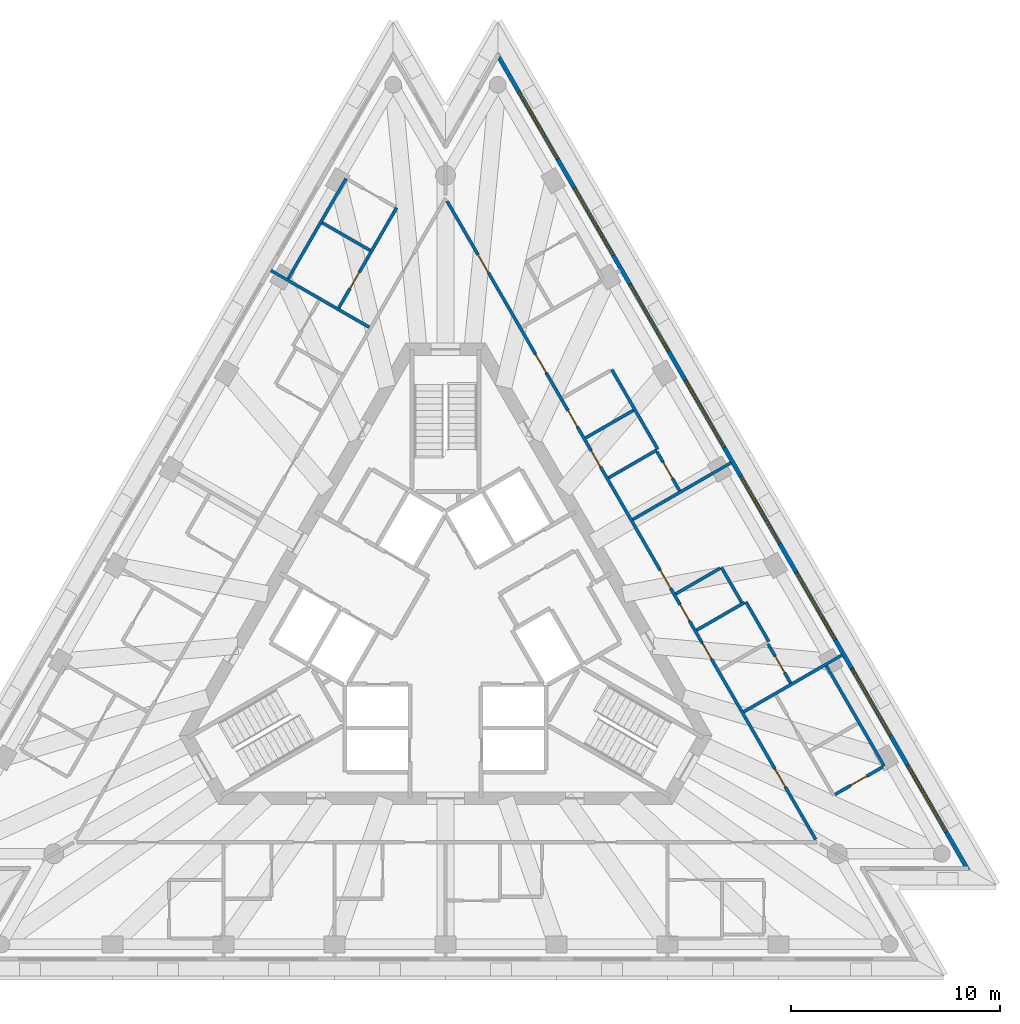
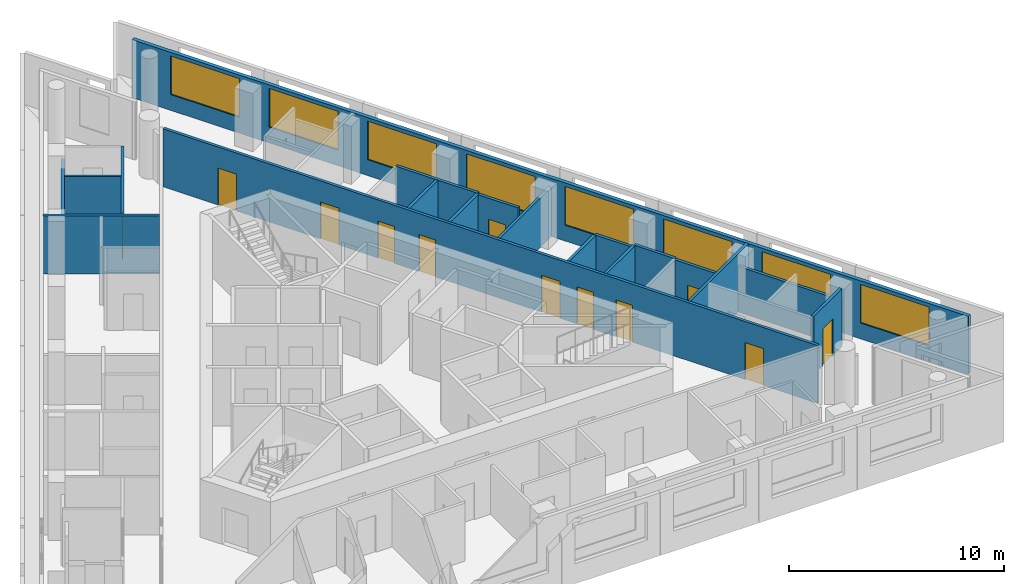
# One storey, part 7 of 11: 19 walls, 12 doors, 8 windows, 20 openings.
"""IFC4 building model written with IfcOpenShell, lengths in metres."""

from ifc_helpers import new_model, si_unit, direction, frame, frame_2d, origin, place, context, subcontext, project, spatial, rectangle, extrude, material, layer, layer_set, layer_usage, type_object, element, fill, save


model = new_model("IFC4")

# Units and contexts
model_context = context("Model", 3, precision=1e-05, world=origin(), true_north=direction((0.0, 1.0)))
body_context = subcontext(model_context, "Body", "Model", "MODEL_VIEW")
ifc_project = project(units=[si_unit("LENGTHUNIT", "METRE"), si_unit("AREAUNIT", "SQUARE_METRE"), si_unit("VOLUMEUNIT", "CUBIC_METRE"), si_unit("PLANEANGLEUNIT", "RADIAN"), si_unit("MASSUNIT", "GRAM", prefix="KILO")], contexts=[model_context])

# Site, building, storey
site_placement = place(None, origin())
site = spatial("IfcSite", under=ifc_project, at=site_placement, CompositionType="ELEMENT")
building_placement = place(site_placement, origin())
building = spatial("IfcBuilding", under=site, at=building_placement, Name="Triada Interchange Tower", CompositionType="ELEMENT")
storey_placement = place(building_placement, frame((0.0, 0.0, 300.699951171875)))
storey = spatial("IfcBuildingStorey", under=building, at=storey_placement, Name="L71", CompositionType="ELEMENT", Elevation=300.699951171875)

# Wall, openings, windows
ifc_material_1 = material(Name="Cement board")
ifc_layer_1 = layer(ifc_material_1, 0.02001953125, Name="Cement board cladding")
ifc_material_2 = material(Name="Sheathing board")
ifc_layer_2 = layer(ifc_material_2, 0.014892578125, Name="Sheathing board")
ifc_material_3 = material(Name="Mineral wool")
ifc_layer_3 = layer(ifc_material_3, 0.14990234375, Name="Mineral wool between steel studs")
ifc_material_4 = material(Name="Gypsum board")
ifc_layer_4 = layer(ifc_material_4, 0.014892578125, Name="Plasterboard lining")
ifc_layer_set_1 = layer_set([ifc_layer_1, ifc_layer_2, ifc_layer_3, ifc_layer_4], Name="External wall 200")
ifc_layer_usage = layer_usage(ifc_layer_set_1, "AXIS2", "POSITIVE", -0.10009765625)
wall_type_1 = type_object("IfcWallType", Name="External wall 200", PredefinedType="ELEMENTEDWALL", material=ifc_layer_set_1)
wall_1_placement = place(storey_placement, frame((24.9599609375, -11.577880859375, 0.0), z_axis=(0.0, 0.0, 1.0), x_axis=(-0.500002391419, 0.866024023094, 0.0)))
wall_1 = element("IfcWall", 1, at=wall_1_placement, inside=storey, type_object=wall_type_1, material=ifc_layer_usage, Name="External wall L71 NE", PredefinedType="ELEMENTEDWALL", context=body_context, shape_type="SweptSolid", body=[
    extrude(rectangle(XDim=44.993896484375, YDim=0.199951171875, at=frame_2d((22.4970703125, 0.0))), origin(), (0.0, 0.0, 1.0), 3.300048828125),
])
opening_1_placement = place(wall_1_placement, frame((2.10302734375, 0.0, 0.89990234375)))
opening_1 = element("IfcOpeningElement", 2, at=opening_1_placement, cuts=wall_1, Name="Opening WD21", PredefinedType="OPENING", context=body_context, shape_type="SweptSolid", body=[
    extrude(rectangle(XDim=3.699951171875, YDim=2.199951171875, at=frame_2d((1.85009765625, 1.10009765625))), frame((0.0, 0.10986328125, 0.0), z_axis=(0.0, -1.0, 0.0), x_axis=(1.0, 0.0, 0.0)), (0.0, 0.0, 1.0), 0.219970703125),
])
opening_2_placement = place(wall_1_placement, frame((7.404052734375, 0.0, 0.89990234375)))
opening_2 = element("IfcOpeningElement", 3, at=opening_2_placement, cuts=wall_1, Name="Opening WD22", PredefinedType="OPENING", context=body_context, shape_type="SweptSolid", body=[
    extrude(rectangle(XDim=3.699951171875, YDim=2.199951171875, at=frame_2d((1.85009765625, 1.10009765625))), frame((0.0, 0.10986328125, 0.0), z_axis=(0.0, -1.0, 0.0), x_axis=(1.0, 0.0, 0.0)), (0.0, 0.0, 1.0), 0.219970703125),
])
opening_3_placement = place(wall_1_placement, frame((12.705078125, 0.0, 0.89990234375)))
opening_3 = element("IfcOpeningElement", 4, at=opening_3_placement, cuts=wall_1, Name="Opening WD23", PredefinedType="OPENING", context=body_context, shape_type="SweptSolid", body=[
    extrude(rectangle(XDim=3.699951171875, YDim=2.199951171875, at=frame_2d((1.85009765625, 1.10009765625))), frame((0.0, 0.10986328125, 0.0), z_axis=(0.0, -1.0, 0.0), x_axis=(1.0, 0.0, 0.0)), (0.0, 0.0, 1.0), 0.219970703125),
])
opening_4_placement = place(wall_1_placement, frame((18.006103515625, 0.0, 0.89990234375)))
opening_4 = element("IfcOpeningElement", 5, at=opening_4_placement, cuts=wall_1, Name="Opening WD24", PredefinedType="OPENING", context=body_context, shape_type="SweptSolid", body=[
    extrude(rectangle(XDim=3.699951171875, YDim=2.199951171875, at=frame_2d((1.85009765625, 1.10009765625))), frame((0.0, 0.10986328125, 0.0), z_axis=(0.0, -1.0, 0.0), x_axis=(1.0, 0.0, 0.0)), (0.0, 0.0, 1.0), 0.219970703125),
])
opening_5_placement = place(wall_1_placement, frame((23.30810546875, 0.0, 0.89990234375)))
opening_5 = element("IfcOpeningElement", 6, at=opening_5_placement, cuts=wall_1, Name="Opening WD25", PredefinedType="OPENING", context=body_context, shape_type="SweptSolid", body=[
    extrude(rectangle(XDim=3.699951171875, YDim=2.199951171875, at=frame_2d((1.85009765625, 1.10009765625))), frame((0.0, 0.10986328125, 0.0), z_axis=(0.0, -1.0, 0.0), x_axis=(1.0, 0.0, 0.0)), (0.0, 0.0, 1.0), 0.219970703125),
])
opening_6_placement = place(wall_1_placement, frame((28.60888671875, 0.0, 0.89990234375)))
opening_6 = element("IfcOpeningElement", 7, at=opening_6_placement, cuts=wall_1, Name="Opening WD26", PredefinedType="OPENING", context=body_context, shape_type="SweptSolid", body=[
    extrude(rectangle(XDim=3.699951171875, YDim=2.199951171875, at=frame_2d((1.85009765625, 1.10009765625))), frame((0.0, 0.10986328125, 0.0), z_axis=(0.0, -1.0, 0.0), x_axis=(1.0, 0.0, 0.0)), (0.0, 0.0, 1.0), 0.219970703125),
])
opening_7_placement = place(wall_1_placement, frame((33.909912109375, 0.0, 0.89990234375)))
opening_7 = element("IfcOpeningElement", 8, at=opening_7_placement, cuts=wall_1, Name="Opening WD27", PredefinedType="OPENING", context=body_context, shape_type="SweptSolid", body=[
    extrude(rectangle(XDim=3.699951171875, YDim=2.199951171875, at=frame_2d((1.85009765625, 1.10009765625))), frame((0.0, 0.10986328125, 0.0), z_axis=(0.0, -1.0, 0.0), x_axis=(1.0, 0.0, 0.0)), (0.0, 0.0, 1.0), 0.219970703125),
])
opening_8_placement = place(wall_1_placement, frame((39.2109375, 0.0, 0.89990234375)))
opening_8 = element("IfcOpeningElement", 9, at=opening_8_placement, cuts=wall_1, Name="Opening WD28", PredefinedType="OPENING", context=body_context, shape_type="SweptSolid", body=[
    extrude(rectangle(XDim=3.699951171875, YDim=2.199951171875, at=frame_2d((1.85009765625, 1.10009765625))), frame((0.0, 0.10986328125, 0.0), z_axis=(0.0, -1.0, 0.0), x_axis=(1.0, 0.0, 0.0)), (0.0, 0.0, 1.0), 0.219970703125),
])
ifc_material_5 = material(Name="Double glazed aluminium window", Category="aluminium")
window_type = type_object("IfcWindowType", Name="Ribbon window D face", PartitioningType="SINGLE_PANEL", PredefinedType="WINDOW", material=ifc_material_5)
window_1_placement = place(opening_1_placement, origin())
window_1 = element("IfcWindow", 10, at=window_1_placement, inside=storey, type_object=window_type, Name="Window L71 NE 1", OverallHeight=2.199951171875, OverallWidth=3.699951171875, PartitioningType="SINGLE_PANEL", PredefinedType="WINDOW", context=body_context, shape_type="SweptSolid", body=[
    extrude(rectangle(XDim=3.699951171875, YDim=2.199951171875, at=frame_2d((1.85009765625, 1.10009765625))), frame((0.0, 0.030029296875, 0.0), z_axis=(0.0, -1.0, 0.0), x_axis=(1.0, 0.0, 0.0)), (0.0, 0.0, 1.0), 0.06005859375),
])
fill(opening_1, window_1)
window_2_placement = place(opening_2_placement, origin())
window_2 = element("IfcWindow", 11, at=window_2_placement, inside=storey, type_object=window_type, Name="Window L71 NE 2", OverallHeight=2.199951171875, OverallWidth=3.699951171875, PartitioningType="SINGLE_PANEL", PredefinedType="WINDOW", context=body_context, shape_type="SweptSolid", body=[
    extrude(rectangle(XDim=3.699951171875, YDim=2.199951171875, at=frame_2d((1.85009765625, 1.10009765625))), frame((0.0, 0.030029296875, 0.0), z_axis=(0.0, -1.0, 0.0), x_axis=(1.0, 0.0, 0.0)), (0.0, 0.0, 1.0), 0.06005859375),
])
fill(opening_2, window_2)
window_3_placement = place(opening_3_placement, origin())
window_3 = element("IfcWindow", 12, at=window_3_placement, inside=storey, type_object=window_type, Name="Window L71 NE 3", OverallHeight=2.199951171875, OverallWidth=3.699951171875, PartitioningType="SINGLE_PANEL", PredefinedType="WINDOW", context=body_context, shape_type="SweptSolid", body=[
    extrude(rectangle(XDim=3.699951171875, YDim=2.199951171875, at=frame_2d((1.85009765625, 1.10009765625))), frame((0.0, 0.030029296875, 0.0), z_axis=(0.0, -1.0, 0.0), x_axis=(1.0, 0.0, 0.0)), (0.0, 0.0, 1.0), 0.06005859375),
])
fill(opening_3, window_3)
window_4_placement = place(opening_4_placement, origin())
window_4 = element("IfcWindow", 13, at=window_4_placement, inside=storey, type_object=window_type, Name="Window L71 NE 4", OverallHeight=2.199951171875, OverallWidth=3.699951171875, PartitioningType="SINGLE_PANEL", PredefinedType="WINDOW", context=body_context, shape_type="SweptSolid", body=[
    extrude(rectangle(XDim=3.699951171875, YDim=2.199951171875, at=frame_2d((1.85009765625, 1.10009765625))), frame((0.0, 0.030029296875, 0.0), z_axis=(0.0, -1.0, 0.0), x_axis=(1.0, 0.0, 0.0)), (0.0, 0.0, 1.0), 0.06005859375),
])
fill(opening_4, window_4)
window_5_placement = place(opening_5_placement, origin())
window_5 = element("IfcWindow", 14, at=window_5_placement, inside=storey, type_object=window_type, Name="Window L71 NE 5", OverallHeight=2.199951171875, OverallWidth=3.699951171875, PartitioningType="SINGLE_PANEL", PredefinedType="WINDOW", context=body_context, shape_type="SweptSolid", body=[
    extrude(rectangle(XDim=3.699951171875, YDim=2.199951171875, at=frame_2d((1.85009765625, 1.10009765625))), frame((0.0, 0.030029296875, 0.0), z_axis=(0.0, -1.0, 0.0), x_axis=(1.0, 0.0, 0.0)), (0.0, 0.0, 1.0), 0.06005859375),
])
fill(opening_5, window_5)
window_6_placement = place(opening_6_placement, origin())
window_6 = element("IfcWindow", 15, at=window_6_placement, inside=storey, type_object=window_type, Name="Window L71 NE 6", OverallHeight=2.199951171875, OverallWidth=3.699951171875, PartitioningType="SINGLE_PANEL", PredefinedType="WINDOW", context=body_context, shape_type="SweptSolid", body=[
    extrude(rectangle(XDim=3.699951171875, YDim=2.199951171875, at=frame_2d((1.85009765625, 1.10009765625))), frame((0.0, 0.030029296875, 0.0), z_axis=(0.0, -1.0, 0.0), x_axis=(1.0, 0.0, 0.0)), (0.0, 0.0, 1.0), 0.06005859375),
])
fill(opening_6, window_6)
window_7_placement = place(opening_7_placement, origin())
window_7 = element("IfcWindow", 16, at=window_7_placement, inside=storey, type_object=window_type, Name="Window L71 NE 7", OverallHeight=2.199951171875, OverallWidth=3.699951171875, PartitioningType="SINGLE_PANEL", PredefinedType="WINDOW", context=body_context, shape_type="SweptSolid", body=[
    extrude(rectangle(XDim=3.699951171875, YDim=2.199951171875, at=frame_2d((1.85009765625, 1.10009765625))), frame((0.0, 0.030029296875, 0.0), z_axis=(0.0, -1.0, 0.0), x_axis=(1.0, 0.0, 0.0)), (0.0, 0.0, 1.0), 0.06005859375),
])
fill(opening_7, window_7)
window_8_placement = place(opening_8_placement, origin())
window_8 = element("IfcWindow", 17, at=window_8_placement, inside=storey, type_object=window_type, Name="Window L71 NE 8", OverallHeight=2.199951171875, OverallWidth=3.699951171875, PartitioningType="SINGLE_PANEL", PredefinedType="WINDOW", context=body_context, shape_type="SweptSolid", body=[
    extrude(rectangle(XDim=3.699951171875, YDim=2.199951171875, at=frame_2d((1.85009765625, 1.10009765625))), frame((0.0, 0.030029296875, 0.0), z_axis=(0.0, -1.0, 0.0), x_axis=(1.0, 0.0, 0.0)), (0.0, 0.0, 1.0), 0.06005859375),
])
fill(opening_8, window_8)

# Walls
ifc_material_6 = material(Name="Gypsum board partition")
ifc_layer_5 = layer(ifc_material_6, 0.14990234375)
ifc_layer_set_2 = layer_set([ifc_layer_5], Name="PARTITION 150 EI 180")
wall_type_2 = type_object("IfcWallType", Name="PARTITION 150 EI 180", PredefinedType="PARTITIONING", material=ifc_layer_set_2)
wall_2_placement = place(storey_placement, frame((8.94189453125, 5.1630859375, 0.0), z_axis=(0.0, 0.0, 1.0), x_axis=(0.866006352826, 0.500032995777, 0.0)))
element("IfcWall", 18, at=wall_2_placement, inside=storey, type_object=wall_type_2, Name="Wall L71 2", PredefinedType="PARTITIONING", context=body_context, shape_type="SweptSolid", body=[
    extrude(rectangle(XDim=5.421630859375, YDim=0.14990234375, at=frame_2d((2.7109375, 0.0))), origin(), (0.0, 0.0, 1.0), 2.800048828125),
])
wall_3_placement = place(storey_placement, frame((-8.3359375, 17.054931640625, 0.0), z_axis=(0.0, 0.0, 1.0), x_axis=(0.865995092734, -0.500052496605, 0.0)))
element("IfcWall", 19, at=wall_3_placement, inside=storey, type_object=wall_type_2, Name="Wall L71 10", PredefinedType="PARTITIONING", context=body_context, shape_type="SweptSolid", body=[
    extrude(rectangle(XDim=5.42138671875, YDim=0.14990234375, at=frame_2d((2.710693359375, 0.0))), origin(), (0.0, 0.0, 1.0), 3.300048828125),
])

# Wall, openings, doors
wall_4_placement = place(storey_placement, frame((0.074951171875, 20.3701171875, 0.0), z_axis=(0.0, 0.0, 1.0), x_axis=(0.500009775255, -0.866019759965, 0.0)))
wall_4 = element("IfcWall", 20, at=wall_4_placement, inside=storey, type_object=wall_type_2, Name="Wall L71 14", PredefinedType="PARTITIONING", context=body_context, shape_type="SweptSolid", body=[
    extrude(rectangle(XDim=35.207275390625, YDim=0.14990234375, at=frame_2d((17.603515625, 0.0))), origin(), (0.0, 0.0, 1.0), 3.300048828125),
])
opening_9_placement = place(wall_4_placement, frame((31.306884765625, 0.0, 0.0)))
opening_9 = element("IfcOpeningElement", 21, at=opening_9_placement, cuts=wall_4, Name="Opening D71-23", PredefinedType="OPENING", context=body_context, shape_type="SweptSolid", body=[
    extrude(rectangle(XDim=1.0, YDim=2.10009765625, at=frame_2d((0.5, 1.050048828125))), frame((0.0, 0.0849609375, 0.0), z_axis=(0.0, -1.0, 0.0), x_axis=(1.0, 0.0, 0.0)), (0.0, 0.0, 1.0), 0.169921875),
])
opening_10_placement = place(wall_4_placement, frame((20.35498046875, 0.0, 0.0)))
opening_10 = element("IfcOpeningElement", 22, at=opening_10_placement, cuts=wall_4, Name="Opening D71-26", PredefinedType="OPENING", context=body_context, shape_type="SweptSolid", body=[
    extrude(rectangle(XDim=1.0, YDim=2.10009765625, at=frame_2d((0.5, 1.050048828125))), frame((0.0, 0.0849609375, 0.0), z_axis=(0.0, -1.0, 0.0), x_axis=(1.0, 0.0, 0.0)), (0.0, 0.0, 1.0), 0.169921875),
])
opening_11_placement = place(wall_4_placement, frame((24.35498046875, 0.0, 0.0)))
opening_11 = element("IfcOpeningElement", 23, at=opening_11_placement, cuts=wall_4, Name="Opening D71-28", PredefinedType="OPENING", context=body_context, shape_type="SweptSolid", body=[
    extrude(rectangle(XDim=0.89990234375, YDim=2.10009765625, at=frame_2d((0.449951171875, 1.050048828125))), frame((0.0, 0.0849609375, 0.0), z_axis=(0.0, -1.0, 0.0), x_axis=(1.0, 0.0, 0.0)), (0.0, 0.0, 1.0), 0.169921875),
])
opening_12_placement = place(wall_4_placement, frame((22.2548828125, 0.0, 0.0)))
opening_12 = element("IfcOpeningElement", 24, at=opening_12_placement, cuts=wall_4, Name="Opening D71-29", PredefinedType="OPENING", context=body_context, shape_type="SweptSolid", body=[
    extrude(rectangle(XDim=0.89990234375, YDim=2.10009765625, at=frame_2d((0.449951171875, 1.050048828125))), frame((0.0, 0.0849609375, 0.0), z_axis=(0.0, -1.0, 0.0), x_axis=(1.0, 0.0, 0.0)), (0.0, 0.0, 1.0), 0.169921875),
])
opening_13_placement = place(wall_4_placement, frame((8.452880859375, 0.0, 0.0)))
opening_13 = element("IfcOpeningElement", 25, at=opening_13_placement, cuts=wall_4, Name="Opening D71-30", PredefinedType="OPENING", context=body_context, shape_type="SweptSolid", body=[
    extrude(rectangle(XDim=1.0, YDim=2.10009765625, at=frame_2d((0.5, 1.050048828125))), frame((0.0, 0.0849609375, 0.0), z_axis=(0.0, -1.0, 0.0), x_axis=(1.0, 0.0, 0.0)), (0.0, 0.0, 1.0), 0.169921875),
])
opening_14_placement = place(wall_4_placement, frame((13.7529296875, 0.0, 0.0)))
opening_14 = element("IfcOpeningElement", 26, at=opening_14_placement, cuts=wall_4, Name="Opening D71-32", PredefinedType="OPENING", context=body_context, shape_type="SweptSolid", body=[
    extrude(rectangle(XDim=0.89990234375, YDim=2.10009765625, at=frame_2d((0.449951171875, 1.050048828125))), frame((0.0, 0.0849609375, 0.0), z_axis=(0.0, -1.0, 0.0), x_axis=(1.0, 0.0, 0.0)), (0.0, 0.0, 1.0), 0.169921875),
])
opening_15_placement = place(wall_4_placement, frame((11.552978515625, 0.0, 0.0)))
opening_15 = element("IfcOpeningElement", 27, at=opening_15_placement, cuts=wall_4, Name="Opening D71-33", PredefinedType="OPENING", context=body_context, shape_type="SweptSolid", body=[
    extrude(rectangle(XDim=0.89990234375, YDim=2.10009765625, at=frame_2d((0.449951171875, 1.050048828125))), frame((0.0, 0.0849609375, 0.0), z_axis=(0.0, -1.0, 0.0), x_axis=(1.0, 0.0, 0.0)), (0.0, 0.0, 1.0), 0.169921875),
])
opening_16_placement = place(wall_4_placement, frame((2.950927734375, 0.0, 0.0)))
opening_16 = element("IfcOpeningElement", 28, at=opening_16_placement, cuts=wall_4, Name="Opening D71-34", PredefinedType="OPENING", context=body_context, shape_type="SweptSolid", body=[
    extrude(rectangle(XDim=1.0, YDim=2.10009765625, at=frame_2d((0.5, 1.050048828125))), frame((0.0, 0.0849609375, 0.0), z_axis=(0.0, -1.0, 0.0), x_axis=(1.0, 0.0, 0.0)), (0.0, 0.0, 1.0), 0.169921875),
])
ifc_material_7 = material(Name="Steel S235 door leaf", Category="steel")
door_type_1 = type_object("IfcDoorType", Name="GUEST ROOM DOOR 1000 EI2 90-C5S200", OperationType="NOTDEFINED", PredefinedType="DOOR", material=ifc_material_7)
door_1_placement = place(opening_9_placement, origin())
door_1 = element("IfcDoor", 29, at=door_1_placement, inside=storey, type_object=door_type_1, Name="Door D71-23 L71", OperationType="SINGLE_SWING_RIGHT", OverallHeight=2.10009765625, OverallWidth=1.0, PredefinedType="DOOR", context=body_context, shape_type="SweptSolid", body=[
    extrude(rectangle(XDim=1.0, YDim=2.10009765625, at=frame_2d((0.5, 1.050048828125))), frame((0.0, 0.02490234375, 0.0), z_axis=(0.0, -1.0, 0.0), x_axis=(1.0, 0.0, 0.0)), (0.0, 0.0, 1.0), 0.050048828125),
])
fill(opening_9, door_1)
door_2_placement = place(opening_10_placement, origin())
door_2 = element("IfcDoor", 30, at=door_2_placement, inside=storey, type_object=door_type_1, Name="Door D71-26 L71", OperationType="SINGLE_SWING_LEFT", OverallHeight=2.10009765625, OverallWidth=1.0, PredefinedType="DOOR", context=body_context, shape_type="SweptSolid", body=[
    extrude(rectangle(XDim=1.0, YDim=2.10009765625, at=frame_2d((0.5, 1.050048828125))), frame((0.0, 0.02490234375, 0.0), z_axis=(0.0, -1.0, 0.0), x_axis=(1.0, 0.0, 0.0)), (0.0, 0.0, 1.0), 0.050048828125),
])
fill(opening_10, door_2)
door_3_placement = place(opening_13_placement, origin())
door_3 = element("IfcDoor", 31, at=door_3_placement, inside=storey, type_object=door_type_1, Name="Door D71-30 L71", OperationType="SINGLE_SWING_LEFT", OverallHeight=2.10009765625, OverallWidth=1.0, PredefinedType="DOOR", context=body_context, shape_type="SweptSolid", body=[
    extrude(rectangle(XDim=1.0, YDim=2.10009765625, at=frame_2d((0.5, 1.050048828125))), frame((0.0, 0.02490234375, 0.0), z_axis=(0.0, -1.0, 0.0), x_axis=(1.0, 0.0, 0.0)), (0.0, 0.0, 1.0), 0.050048828125),
])
fill(opening_13, door_3)
door_4_placement = place(opening_16_placement, origin())
door_4 = element("IfcDoor", 32, at=door_4_placement, inside=storey, type_object=door_type_1, Name="Door D71-34 L71", OperationType="SINGLE_SWING_LEFT", OverallHeight=2.10009765625, OverallWidth=1.0, PredefinedType="DOOR", context=body_context, shape_type="SweptSolid", body=[
    extrude(rectangle(XDim=1.0, YDim=2.10009765625, at=frame_2d((0.5, 1.050048828125))), frame((0.0, 0.02490234375, 0.0), z_axis=(0.0, -1.0, 0.0), x_axis=(1.0, 0.0, 0.0)), (0.0, 0.0, 1.0), 0.050048828125),
])
fill(opening_16, door_4)
door_type_2 = type_object("IfcDoorType", Name="ROOM DOOR 900 EI2 90-C5S200", OperationType="NOTDEFINED", PredefinedType="DOOR", material=ifc_material_7)
door_5_placement = place(opening_12_placement, origin())
door_5 = element("IfcDoor", 33, at=door_5_placement, inside=storey, type_object=door_type_2, Name="Door D71-29 L71", OperationType="SINGLE_SWING_RIGHT", OverallHeight=2.10009765625, OverallWidth=0.89990234375, PredefinedType="DOOR", context=body_context, shape_type="SweptSolid", body=[
    extrude(rectangle(XDim=0.89990234375, YDim=2.10009765625, at=frame_2d((0.449951171875, 1.050048828125))), frame((0.0, 0.02490234375, 0.0), z_axis=(0.0, -1.0, 0.0), x_axis=(1.0, 0.0, 0.0)), (0.0, 0.0, 1.0), 0.050048828125),
])
fill(opening_12, door_5)
door_6_placement = place(opening_15_placement, origin())
door_6 = element("IfcDoor", 34, at=door_6_placement, inside=storey, type_object=door_type_2, Name="Door D71-33 L71", OperationType="SINGLE_SWING_RIGHT", OverallHeight=2.10009765625, OverallWidth=0.89990234375, PredefinedType="DOOR", context=body_context, shape_type="SweptSolid", body=[
    extrude(rectangle(XDim=0.89990234375, YDim=2.10009765625, at=frame_2d((0.449951171875, 1.050048828125))), frame((0.0, 0.02490234375, 0.0), z_axis=(0.0, -1.0, 0.0), x_axis=(1.0, 0.0, 0.0)), (0.0, 0.0, 1.0), 0.050048828125),
])
fill(opening_15, door_6)
door_type_3 = type_object("IfcDoorType", Name="SERVICE DOOR 900 EI2 90-C5S200", OperationType="NOTDEFINED", PredefinedType="DOOR", material=ifc_material_7)
door_7_placement = place(opening_11_placement, origin())
door_7 = element("IfcDoor", 35, at=door_7_placement, inside=storey, type_object=door_type_3, Name="Door D71-28 L71", OperationType="SINGLE_SWING_RIGHT", OverallHeight=2.10009765625, OverallWidth=0.89990234375, PredefinedType="DOOR", context=body_context, shape_type="SweptSolid", body=[
    extrude(rectangle(XDim=0.89990234375, YDim=2.10009765625, at=frame_2d((0.449951171875, 1.050048828125))), frame((0.0, 0.02490234375, 0.0), z_axis=(0.0, -1.0, 0.0), x_axis=(1.0, 0.0, 0.0)), (0.0, 0.0, 1.0), 0.050048828125),
])
fill(opening_11, door_7)
door_8_placement = place(opening_14_placement, origin())
door_8 = element("IfcDoor", 36, at=door_8_placement, inside=storey, type_object=door_type_3, Name="Door D71-32 L71", OperationType="SINGLE_SWING_RIGHT", OverallHeight=2.10009765625, OverallWidth=0.89990234375, PredefinedType="DOOR", context=body_context, shape_type="SweptSolid", body=[
    extrude(rectangle(XDim=0.89990234375, YDim=2.10009765625, at=frame_2d((0.449951171875, 1.050048828125))), frame((0.0, 0.02490234375, 0.0), z_axis=(0.0, -1.0, 0.0), x_axis=(1.0, 0.0, 0.0)), (0.0, 0.0, 1.0), 0.050048828125),
])
fill(opening_14, door_8)

# Walls
wall_5_placement = place(storey_placement, frame((7.94091796875, 12.322021484375, 0.0), z_axis=(0.0, 0.0, 1.0), x_axis=(0.500077893725, -0.86598042715, 0.0)))
element("IfcWall", 37, at=wall_5_placement, inside=storey, type_object=wall_type_2, Name="Wall L71 16", PredefinedType="PARTITIONING", context=body_context, shape_type="SweptSolid", body=[
    extrude(rectangle(XDim=4.399658203125, YDim=0.14990234375, at=frame_2d((2.19970703125, 0.0))), origin(), (0.0, 0.0, 1.0), 3.300048828125),
])
wall_6_placement = place(storey_placement, frame((14.343017578125, 1.235107421875, 0.0), z_axis=(0.0, 0.0, 1.0), x_axis=(0.500077893725, -0.86598042715, 0.0)))
element("IfcWall", 38, at=wall_6_placement, inside=storey, type_object=wall_type_2, Name="Wall L71 17", PredefinedType="PARTITIONING", context=body_context, shape_type="SweptSolid", body=[
    extrude(rectangle(XDim=2.199951171875, YDim=0.14990234375, at=frame_2d((1.10009765625, 0.0))), origin(), (0.0, 0.0, 1.0), 3.300048828125),
])
for number, where, z_axis, x_axis, name in (
    (39, (6.69091796875, 9.06005859375, 0.0), (0.0, 0.0, 1.0), (0.866105468975, 0.499861297372, 0.0), "Wall L71 19"),
    (40, (7.791015625, 7.155029296875, 0.0), (0.0, 0.0, 1.0), (0.866042279195, 0.499970769793, 0.0), "Wall L71 20"),
):
    element("IfcWall", number, at=place(storey_placement, frame(where, z_axis=z_axis, x_axis=x_axis)), inside=storey, type_object=wall_type_2, Name=name, PredefinedType="PARTITIONING", context=body_context, shape_type="SweptSolid", body=[
        extrude(rectangle(XDim=2.638427734375, YDim=0.14990234375, at=frame_2d((1.3193359375, 0.0))), origin(), (0.0, 0.0, 1.0), 3.300048828125),
    ])
wall_7_placement = place(storey_placement, frame((13.178955078125, 2.873046875, 0.0), z_axis=(0.0, 0.0, 1.0), x_axis=(0.500271259635, -0.865868735308, 0.0)))
element("IfcWall", 41, at=wall_7_placement, inside=storey, type_object=wall_type_2, Name="Wall L71 22", PredefinedType="PARTITIONING", context=body_context, shape_type="SweptSolid", body=[
    extrude(rectangle(XDim=1.92529296875, YDim=0.14990234375, at=frame_2d((0.962646484375, 0.0))), origin(), (0.0, 0.0, 1.0), 3.300048828125),
])
wall_8_placement = place(storey_placement, frame((10.992919921875, 1.610107421875, 0.0), z_axis=(0.0, 0.0, 1.0), x_axis=(0.865983065851, 0.500073324283, 0.0)))
element("IfcWall", 42, at=wall_8_placement, inside=storey, type_object=wall_type_2, Name="Wall L71 23", PredefinedType="PARTITIONING", context=body_context, shape_type="SweptSolid", body=[
    extrude(rectangle(XDim=2.449462890625, YDim=0.14990234375, at=frame_2d((1.224609375, 0.0))), origin(), (0.0, 0.0, 1.0), 3.300048828125),
])
wall_9_placement = place(storey_placement, frame((11.992919921875, -0.1220703125, 0.0), z_axis=(0.0, 0.0, 1.0), x_axis=(0.866065407652, 0.499930704866, 0.0)))
element("IfcWall", 43, at=wall_9_placement, inside=storey, type_object=wall_type_2, Name="Wall L71 24", PredefinedType="PARTITIONING", context=body_context, shape_type="SweptSolid", body=[
    extrude(rectangle(XDim=2.638427734375, YDim=0.14990234375, at=frame_2d((1.3193359375, 0.0))), origin(), (0.0, 0.0, 1.0), 3.300048828125),
])
wall_10_placement = place(storey_placement, frame((14.242919921875, -4.01904296875, 0.0), z_axis=(0.0, 0.0, 1.0), x_axis=(0.866006352826, 0.500032995777, 0.0)))
element("IfcWall", 44, at=wall_10_placement, inside=storey, type_object=wall_type_2, Name="Wall L71 26", PredefinedType="PARTITIONING", context=body_context, shape_type="SweptSolid", body=[
    extrude(rectangle(XDim=5.421630859375, YDim=0.14990234375, at=frame_2d((2.7109375, 0.0))), origin(), (0.0, 0.0, 1.0), 3.300048828125),
])

# Wall, opening, door
ifc_layer_6 = layer(ifc_material_6, 0.14990234375)
ifc_layer_set_3 = layer_set([ifc_layer_6], Name="PARTITION 150 EI 90")
wall_type_3 = type_object("IfcWallType", Name="PARTITION 150 EI 90", PredefinedType="PARTITIONING", material=ifc_layer_set_3)
wall_11_placement = place(storey_placement, frame((-5.096923828125, 15.27197265625, 0.0), z_axis=(0.0, 0.0, 1.0), x_axis=(0.499994082372, 0.866028820302, 0.0)))
wall_11 = element("IfcWall", 45, at=wall_11_placement, inside=storey, type_object=wall_type_3, Name="Wall L71 31", PredefinedType="PARTITIONING", context=body_context, shape_type="SweptSolid", body=[
    extrude(rectangle(XDim=5.52392578125, YDim=0.14990234375, at=frame_2d((2.761962890625, 0.0))), origin(), (0.0, 0.0, 1.0), 3.300048828125),
])
opening_17_placement = place(wall_11_placement, frame((1.074951171875, 0.0, 0.0)))
opening_17 = element("IfcOpeningElement", 46, at=opening_17_placement, cuts=wall_11, Name="Opening D71-37", PredefinedType="OPENING", context=body_context, shape_type="SweptSolid", body=[
    extrude(rectangle(XDim=0.89990234375, YDim=2.10009765625, at=frame_2d((0.449951171875, 1.050048828125))), frame((0.0, 0.0849609375, 0.0), z_axis=(0.0, -1.0, 0.0), x_axis=(1.0, 0.0, 0.0)), (0.0, 0.0, 1.0), 0.169921875),
])
door_type_4 = type_object("IfcDoorType", Name="ROOM DOOR 900 EI2 45-C5S200", OperationType="NOTDEFINED", PredefinedType="DOOR", material=ifc_material_7)
door_9_placement = place(opening_17_placement, origin())
door_9 = element("IfcDoor", 47, at=door_9_placement, inside=storey, type_object=door_type_4, Name="Door D71-37 L71", OperationType="SINGLE_SWING_LEFT", OverallHeight=2.10009765625, OverallWidth=0.89990234375, PredefinedType="DOOR", context=body_context, shape_type="SweptSolid", body=[
    extrude(rectangle(XDim=0.89990234375, YDim=2.10009765625, at=frame_2d((0.449951171875, 1.050048828125))), frame((0.0, 0.02490234375, 0.0), z_axis=(0.0, -1.0, 0.0), x_axis=(1.0, 0.0, 0.0)), (0.0, 0.0, 1.0), 0.050048828125),
])
fill(opening_17, door_9)

# Walls
wall_12_placement = place(storey_placement, frame((-7.511962890625, 16.666015625, 0.0), z_axis=(0.0, 0.0, 1.0), x_axis=(0.500050108258, 0.865996471835, 0.0)))
element("IfcWall", 48, at=wall_12_placement, inside=storey, type_object=wall_type_3, Name="Wall L71 33", PredefinedType="PARTITIONING", context=body_context, shape_type="SweptSolid", body=[
    extrude(rectangle(XDim=5.525390625, YDim=0.14990234375, at=frame_2d((2.7626953125, 0.0))), origin(), (0.0, 0.0, 1.0), 2.60009765625),
])
wall_13_placement = place(storey_placement, frame((-5.885009765625, 19.3349609375, 0.0), z_axis=(0.0, 0.0, 1.0), x_axis=(0.865881993967, -0.500248310865, 0.0)))
element("IfcWall", 49, at=wall_13_placement, inside=storey, type_object=wall_type_3, Name="Wall L71 51", PredefinedType="PARTITIONING", context=body_context, shape_type="SweptSolid", body=[
    extrude(rectangle(XDim=2.638916015625, YDim=0.14990234375, at=frame_2d((1.3193359375, 0.0))), origin(), (0.0, 0.0, 1.0), 3.300048828125),
])
wall_14_placement = place(storey_placement, frame((18.18896484375, -1.826904296875, 0.0), z_axis=(0.0, 0.0, 1.0), x_axis=(0.499898410332, -0.866084048662, 0.0)))
element("IfcWall", 50, at=wall_14_placement, inside=storey, type_object=wall_type_3, Name="Wall L71 58", PredefinedType="PARTITIONING", context=body_context, shape_type="SweptSolid", body=[
    extrude(rectangle(XDim=5.525146484375, YDim=0.14990234375, at=frame_2d((2.7626953125, 0.0))), origin(), (0.0, 0.0, 1.0), 2.60009765625),
])

# Wall, opening, door
wall_15_placement = place(storey_placement, frame((10.10205078125, 8.402099609375, 0.0), z_axis=(0.0, 0.0, 1.0), x_axis=(0.499961633463, -0.866047553582, 0.0)))
wall_15 = element("IfcWall", 51, at=wall_15_placement, inside=storey, type_object=wall_type_3, Name="Wall L71 62", PredefinedType="PARTITIONING", context=body_context, shape_type="SweptSolid", body=[
    extrude(rectangle(XDim=2.150146484375, YDim=0.14990234375, at=frame_2d((1.0751953125, 0.0))), origin(), (0.0, 0.0, 1.0), 3.300048828125),
])
opening_18_placement = place(wall_15_placement, frame((0.574951171875, 0.0, 0.0)))
opening_18 = element("IfcOpeningElement", 52, at=opening_18_placement, cuts=wall_15, Name="Opening D71-31", PredefinedType="OPENING", context=body_context, shape_type="SweptSolid", body=[
    extrude(rectangle(XDim=0.89990234375, YDim=2.10009765625, at=frame_2d((0.449951171875, 1.050048828125))), frame((0.0, 0.0849609375, 0.0), z_axis=(0.0, -1.0, 0.0), x_axis=(1.0, 0.0, 0.0)), (0.0, 0.0, 1.0), 0.169921875),
])
door_10_placement = place(opening_18_placement, origin())
door_10 = element("IfcDoor", 53, at=door_10_placement, inside=storey, type_object=door_type_4, Name="Door D71-31 L71", OperationType="SINGLE_SWING_LEFT", OverallHeight=2.10009765625, OverallWidth=0.89990234375, PredefinedType="DOOR", context=body_context, shape_type="SweptSolid", body=[
    extrude(rectangle(XDim=0.89990234375, YDim=2.10009765625, at=frame_2d((0.449951171875, 1.050048828125))), frame((0.0, 0.02490234375, 0.0), z_axis=(0.0, -1.0, 0.0), x_axis=(1.0, 0.0, 0.0)), (0.0, 0.0, 1.0), 0.050048828125),
])
fill(opening_18, door_10)

wall_16_placement = place(storey_placement, frame((15.403076171875, -0.779052734375, 0.0), z_axis=(0.0, 0.0, 1.0), x_axis=(0.499961633463, -0.866047553582, 0.0)))
wall_16 = element("IfcWall", 54, at=wall_16_placement, inside=storey, type_object=wall_type_3, Name="Wall L71 63", PredefinedType="PARTITIONING", context=body_context, shape_type="SweptSolid", body=[
    extrude(rectangle(XDim=2.150146484375, YDim=0.14990234375, at=frame_2d((1.0751953125, 0.0))), origin(), (0.0, 0.0, 1.0), 3.300048828125),
])
opening_19_placement = place(wall_16_placement, frame((0.676025390625, 0.0, 0.0)))
opening_19 = element("IfcOpeningElement", 55, at=opening_19_placement, cuts=wall_16, Name="Opening D71-27", PredefinedType="OPENING", context=body_context, shape_type="SweptSolid", body=[
    extrude(rectangle(XDim=0.89990234375, YDim=2.10009765625, at=frame_2d((0.449951171875, 1.050048828125))), frame((0.0, 0.0849609375, 0.0), z_axis=(0.0, -1.0, 0.0), x_axis=(1.0, 0.0, 0.0)), (0.0, 0.0, 1.0), 0.169921875),
])
door_11_placement = place(opening_19_placement, origin())
door_11 = element("IfcDoor", 56, at=door_11_placement, inside=storey, type_object=door_type_4, Name="Door D71-27 L71", OperationType="SINGLE_SWING_LEFT", OverallHeight=2.10009765625, OverallWidth=0.89990234375, PredefinedType="DOOR", context=body_context, shape_type="SweptSolid", body=[
    extrude(rectangle(XDim=0.89990234375, YDim=2.10009765625, at=frame_2d((0.449951171875, 1.050048828125))), frame((0.0, 0.02490234375, 0.0), z_axis=(0.0, -1.0, 0.0), x_axis=(1.0, 0.0, 0.0)), (0.0, 0.0, 1.0), 0.050048828125),
])
fill(opening_19, door_11)

wall_17_placement = place(storey_placement, frame((18.60107421875, -7.968994140625, 0.0), z_axis=(0.0, 0.0, 1.0), x_axis=(0.865881993967, 0.500248310865, 0.0)))
wall_17 = element("IfcWall", 57, at=wall_17_placement, inside=storey, type_object=wall_type_3, Name="Wall L71 68", PredefinedType="PARTITIONING", context=body_context, shape_type="SweptSolid", body=[
    extrude(rectangle(XDim=2.638916015625, YDim=0.14990234375, at=frame_2d((1.3193359375, 0.0))), origin(), (0.0, 0.0, 1.0), 3.300048828125),
])
opening_20_placement = place(wall_17_placement, frame((0.864013671875, 0.0, 0.0)))
opening_20 = element("IfcOpeningElement", 58, at=opening_20_placement, cuts=wall_17, Name="Opening D71-25", PredefinedType="OPENING", context=body_context, shape_type="SweptSolid", body=[
    extrude(rectangle(XDim=0.89990234375, YDim=2.10009765625, at=frame_2d((0.449951171875, 1.050048828125))), frame((0.0, 0.0849609375, 0.0), z_axis=(0.0, -1.0, 0.0), x_axis=(1.0, 0.0, 0.0)), (0.0, 0.0, 1.0), 0.169921875),
])
door_type_5 = type_object("IfcDoorType", Name="SERVICE DOOR 900 EI2 45-C5S200", OperationType="NOTDEFINED", PredefinedType="DOOR", material=ifc_material_7)
door_12_placement = place(opening_20_placement, origin())
door_12 = element("IfcDoor", 59, at=door_12_placement, inside=storey, type_object=door_type_5, Name="Door D71-25 L71", OperationType="SINGLE_SWING_RIGHT", OverallHeight=2.10009765625, OverallWidth=0.89990234375, PredefinedType="DOOR", context=body_context, shape_type="SweptSolid", body=[
    extrude(rectangle(XDim=0.89990234375, YDim=2.10009765625, at=frame_2d((0.449951171875, 1.050048828125))), frame((0.0, 0.02490234375, 0.0), z_axis=(0.0, -1.0, 0.0), x_axis=(1.0, 0.0, 0.0)), (0.0, 0.0, 1.0), 0.050048828125),
])
fill(opening_20, door_12)

save(model, "model.ifc")
